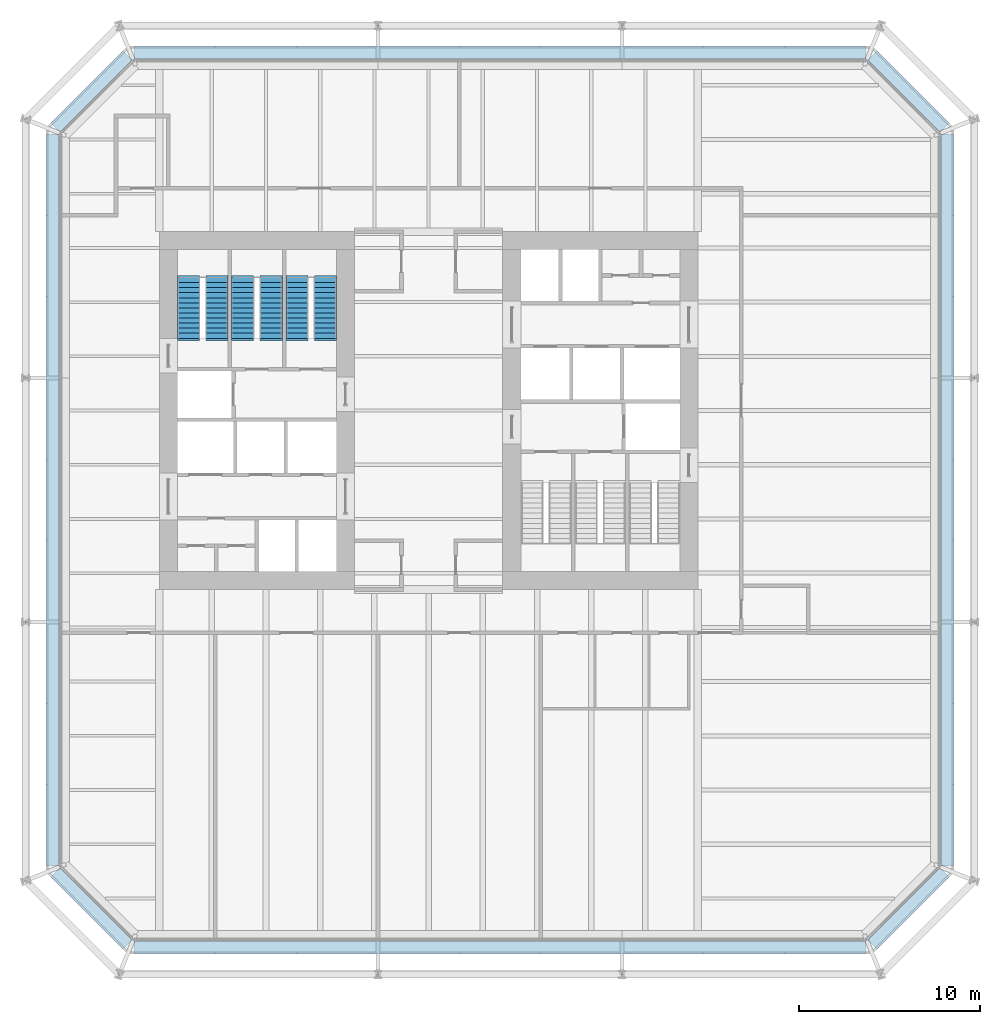
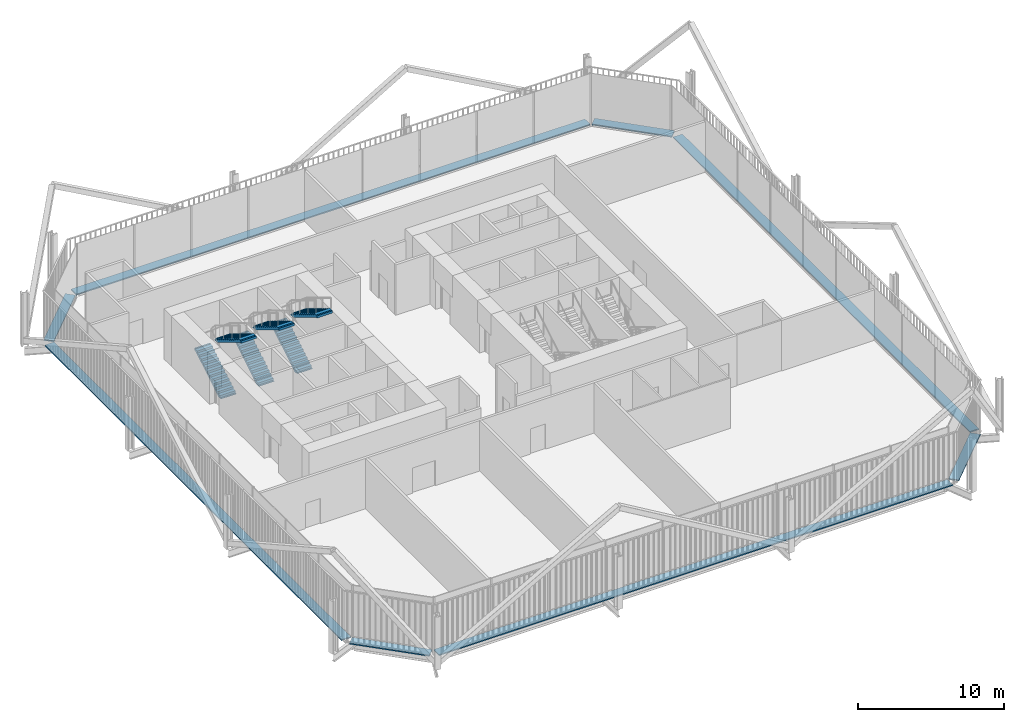
# One storey, part 20 of 21: 8 discrete accessories, 6 stair flights, 3 elements without a shape of their own.
"""IFC4 building model written with IfcOpenShell, lengths in metres."""

from ifc_helpers import new_model, si_unit, direction, frame, origin, origin_2d, place, context, subcontext, project, spatial, polyline, rectangle, outline, extrude, material, type_object, element, aggregate, save


model = new_model("IFC4")

# Units and contexts
model_context = context("Model", 3, precision=1e-05, world=origin(), true_north=direction((0.0, 1.0)))
body_context = subcontext(model_context, "Body", "Model", "MODEL_VIEW")
ifc_project = project(units=[si_unit("LENGTHUNIT", "METRE"), si_unit("AREAUNIT", "SQUARE_METRE"), si_unit("VOLUMEUNIT", "CUBIC_METRE"), si_unit("PLANEANGLEUNIT", "RADIAN"), si_unit("MASSUNIT", "GRAM", prefix="KILO")], contexts=[model_context])

# Site, building, storey
site_placement = place(None, origin())
site = spatial("IfcSite", under=ifc_project, at=site_placement, CompositionType="ELEMENT")
building_placement = place(site_placement, origin())
building = spatial("IfcBuilding", under=site, at=building_placement, Name="Millrace Tower", CompositionType="ELEMENT")
storey_placement = place(building_placement, frame((0.0, 0.0, 104.0)))
storey = spatial("IfcBuildingStorey", under=building, at=storey_placement, Name="L23", CompositionType="ELEMENT", Elevation=104.0)

# Stair, stair flights
ifc_material_1 = material(Name="Concrete C35", Category="concrete")
stair_type = type_object("IfcStairType", Name="Exit stair", PredefinedType="HALF_TURN_STAIR", material=ifc_material_1)
placement = place(storey_placement, origin())
stair_1 = element("IfcStair", 1, at=placement, inside=storey, type_object=stair_type, Name="Stair 1 W L23", PredefinedType="HALF_TURN_STAIR")
ifc_material_2 = material(Name="Concrete C35", Category="concrete")
stair_flight_type = type_object("IfcStairFlightType", Name="Exit stair flight", PredefinedType="STRAIGHT", material=ifc_material_2)
stair_flight_1_placement = place(storey_placement, frame((-13.2900390625, 4.0, 0.0), z_axis=(0.0, 0.0, 1.0), x_axis=(0.0, 1.0, 0.0)))
stair_flight_1 = element("IfcStairFlight", 2, at=stair_flight_1_placement, type_object=stair_flight_type, Name="ST12 flight 1", NumberOfRisers=13, NumberOfTreads=12, PredefinedType="STRAIGHT", RiserHeight=0.169230769, TreadLength=0.28, context=body_context, shape_type="SweptSolid", body=[
    extrude(outline(polyline([(-0.1201171875, -0.0400390625), (-0.1201171875, 0.0), (0.0, 0.0), (0.0, 0.169189453125), (0.280029296875, 0.169189453125), (0.280029296875, 0.33837890625), (0.56005859375, 0.33837890625), (0.56005859375, 0.5078125), (0.840087890625, 0.5078125), (0.840087890625, 0.677001953125), (1.1201171875, 0.677001953125), (1.1201171875, 0.84619140625), (1.39990234375, 0.84619140625), (1.39990234375, 1.015380859375), (1.679931640625, 1.015380859375), (1.679931640625, 1.1845703125), (1.9599609375, 1.1845703125), (1.9599609375, 1.353759765625), (2.239990234375, 1.353759765625), (2.239990234375, 1.523193359375), (2.52001953125, 1.523193359375), (2.52001953125, 1.6923828125), (2.800048828125, 1.6923828125), (2.800048828125, 1.861572265625), (3.080078125, 1.861572265625), (3.080078125, 2.03076171875), (3.360107421875, 2.03076171875), (3.360107421875, 2.05078125), (3.47998046875, 2.05078125), (3.47998046875, 1.855712890625), (3.360107421875, 1.855712890625), (0.289794921875, 0.0), (0.289794921875, -0.0400390625), (-0.1201171875, -0.0400390625)])), frame((0.0, 0.60986328125, 0.0), z_axis=(0.0, -1.0, 0.0), x_axis=(1.0, 0.0, 0.0)), (0.0, 0.0, 1.0), 1.219970703125),
])
stair_flight_2_placement = place(storey_placement, frame((-11.7099609375, 7.360107421875, 2.199951171875), z_axis=(0.0, 0.0, 1.0), x_axis=(0.0, -1.0, 0.0)))
stair_flight_2 = element("IfcStairFlight", 3, at=stair_flight_2_placement, type_object=stair_flight_type, Name="ST12 flight 2", NumberOfRisers=13, NumberOfTreads=12, PredefinedType="STRAIGHT", RiserHeight=0.169230769, TreadLength=0.28, context=body_context, shape_type="SweptSolid", body=[
    extrude(outline(polyline([(-0.1201171875, -0.0400390625), (-0.1201171875, 0.0), (0.0, 0.0), (0.0, 0.169189453125), (0.280029296875, 0.169189453125), (0.280029296875, 0.33837890625), (0.56005859375, 0.33837890625), (0.56005859375, 0.5078125), (0.840087890625, 0.5078125), (0.840087890625, 0.677001953125), (1.1201171875, 0.677001953125), (1.1201171875, 0.84619140625), (1.39990234375, 0.84619140625), (1.39990234375, 1.015380859375), (1.679931640625, 1.015380859375), (1.679931640625, 1.1845703125), (1.9599609375, 1.1845703125), (1.9599609375, 1.353759765625), (2.239990234375, 1.353759765625), (2.239990234375, 1.523193359375), (2.52001953125, 1.523193359375), (2.52001953125, 1.6923828125), (2.800048828125, 1.6923828125), (2.800048828125, 1.861572265625), (3.080078125, 1.861572265625), (3.080078125, 2.03076171875), (3.360107421875, 2.03076171875), (3.360107421875, 2.05078125), (3.47998046875, 2.05078125), (3.47998046875, 1.855712890625), (3.360107421875, 1.855712890625), (0.289794921875, 0.0), (0.289794921875, -0.0400390625), (-0.1201171875, -0.0400390625)])), frame((0.0, 0.60986328125, 0.0), z_axis=(0.0, -1.0, 0.0), x_axis=(1.0, 0.0, 0.0)), (0.0, 0.0, 1.0), 1.219970703125),
])
aggregate(stair_1, [stair_flight_1, stair_flight_2])

stair_2 = element("IfcStair", 4, at=placement, inside=storey, type_object=stair_type, Name="Stair 2 W L23", PredefinedType="HALF_TURN_STAIR")
stair_flight_3_placement = place(storey_placement, frame((-10.2900390625, 4.0, 0.0), z_axis=(0.0, 0.0, 1.0), x_axis=(0.0, 1.0, 0.0)))
stair_flight_3 = element("IfcStairFlight", 5, at=stair_flight_3_placement, type_object=stair_flight_type, Name="ST12 flight 1", NumberOfRisers=13, NumberOfTreads=12, PredefinedType="STRAIGHT", RiserHeight=0.169230769, TreadLength=0.28, context=body_context, shape_type="SweptSolid", body=[
    extrude(outline(polyline([(-0.1201171875, -0.0400390625), (-0.1201171875, 0.0), (0.0, 0.0), (0.0, 0.169189453125), (0.280029296875, 0.169189453125), (0.280029296875, 0.33837890625), (0.56005859375, 0.33837890625), (0.56005859375, 0.5078125), (0.840087890625, 0.5078125), (0.840087890625, 0.677001953125), (1.1201171875, 0.677001953125), (1.1201171875, 0.84619140625), (1.39990234375, 0.84619140625), (1.39990234375, 1.015380859375), (1.679931640625, 1.015380859375), (1.679931640625, 1.1845703125), (1.9599609375, 1.1845703125), (1.9599609375, 1.353759765625), (2.239990234375, 1.353759765625), (2.239990234375, 1.523193359375), (2.52001953125, 1.523193359375), (2.52001953125, 1.6923828125), (2.800048828125, 1.6923828125), (2.800048828125, 1.861572265625), (3.080078125, 1.861572265625), (3.080078125, 2.03076171875), (3.360107421875, 2.03076171875), (3.360107421875, 2.05078125), (3.47998046875, 2.05078125), (3.47998046875, 1.855712890625), (3.360107421875, 1.855712890625), (0.289794921875, 0.0), (0.289794921875, -0.0400390625), (-0.1201171875, -0.0400390625)])), frame((0.0, 0.60986328125, 0.0), z_axis=(0.0, -1.0, 0.0), x_axis=(1.0, 0.0, 0.0)), (0.0, 0.0, 1.0), 1.219970703125),
])
stair_flight_4_placement = place(storey_placement, frame((-8.7099609375, 7.360107421875, 2.199951171875), z_axis=(0.0, 0.0, 1.0), x_axis=(0.0, -1.0, 0.0)))
stair_flight_4 = element("IfcStairFlight", 6, at=stair_flight_4_placement, type_object=stair_flight_type, Name="ST12 flight 2", NumberOfRisers=13, NumberOfTreads=12, PredefinedType="STRAIGHT", RiserHeight=0.169230769, TreadLength=0.28, context=body_context, shape_type="SweptSolid", body=[
    extrude(outline(polyline([(-0.1201171875, -0.0400390625), (-0.1201171875, 0.0), (0.0, 0.0), (0.0, 0.169189453125), (0.280029296875, 0.169189453125), (0.280029296875, 0.33837890625), (0.56005859375, 0.33837890625), (0.56005859375, 0.5078125), (0.840087890625, 0.5078125), (0.840087890625, 0.677001953125), (1.1201171875, 0.677001953125), (1.1201171875, 0.84619140625), (1.39990234375, 0.84619140625), (1.39990234375, 1.015380859375), (1.679931640625, 1.015380859375), (1.679931640625, 1.1845703125), (1.9599609375, 1.1845703125), (1.9599609375, 1.353759765625), (2.239990234375, 1.353759765625), (2.239990234375, 1.523193359375), (2.52001953125, 1.523193359375), (2.52001953125, 1.6923828125), (2.800048828125, 1.6923828125), (2.800048828125, 1.861572265625), (3.080078125, 1.861572265625), (3.080078125, 2.03076171875), (3.360107421875, 2.03076171875), (3.360107421875, 2.05078125), (3.47998046875, 2.05078125), (3.47998046875, 1.855712890625), (3.360107421875, 1.855712890625), (0.289794921875, 0.0), (0.289794921875, -0.0400390625), (-0.1201171875, -0.0400390625)])), frame((0.0, 0.60986328125, 0.0), z_axis=(0.0, -1.0, 0.0), x_axis=(1.0, 0.0, 0.0)), (0.0, 0.0, 1.0), 1.219970703125),
])
aggregate(stair_2, [stair_flight_3, stair_flight_4])

stair_3 = element("IfcStair", 7, at=placement, inside=storey, type_object=stair_type, Name="Stair 3 W L23", PredefinedType="HALF_TURN_STAIR")
stair_flight_5_placement = place(storey_placement, frame((-7.2900390625, 4.0, 0.0), z_axis=(0.0, 0.0, 1.0), x_axis=(0.0, 1.0, 0.0)))
stair_flight_5 = element("IfcStairFlight", 8, at=stair_flight_5_placement, type_object=stair_flight_type, Name="ST12 flight 1", NumberOfRisers=13, NumberOfTreads=12, PredefinedType="STRAIGHT", RiserHeight=0.169230769, TreadLength=0.28, context=body_context, shape_type="SweptSolid", body=[
    extrude(outline(polyline([(-0.1201171875, -0.0400390625), (-0.1201171875, 0.0), (0.0, 0.0), (0.0, 0.169189453125), (0.280029296875, 0.169189453125), (0.280029296875, 0.33837890625), (0.56005859375, 0.33837890625), (0.56005859375, 0.5078125), (0.840087890625, 0.5078125), (0.840087890625, 0.677001953125), (1.1201171875, 0.677001953125), (1.1201171875, 0.84619140625), (1.39990234375, 0.84619140625), (1.39990234375, 1.015380859375), (1.679931640625, 1.015380859375), (1.679931640625, 1.1845703125), (1.9599609375, 1.1845703125), (1.9599609375, 1.353759765625), (2.239990234375, 1.353759765625), (2.239990234375, 1.523193359375), (2.52001953125, 1.523193359375), (2.52001953125, 1.6923828125), (2.800048828125, 1.6923828125), (2.800048828125, 1.861572265625), (3.080078125, 1.861572265625), (3.080078125, 2.03076171875), (3.360107421875, 2.03076171875), (3.360107421875, 2.05078125), (3.47998046875, 2.05078125), (3.47998046875, 1.855712890625), (3.360107421875, 1.855712890625), (0.289794921875, 0.0), (0.289794921875, -0.0400390625), (-0.1201171875, -0.0400390625)])), frame((0.0, 0.60986328125, 0.0), z_axis=(0.0, -1.0, 0.0), x_axis=(1.0, 0.0, 0.0)), (0.0, 0.0, 1.0), 1.219970703125),
])
stair_flight_6_placement = place(storey_placement, frame((-5.7099609375, 7.360107421875, 2.199951171875), z_axis=(0.0, 0.0, 1.0), x_axis=(0.0, -1.0, 0.0)))
stair_flight_6 = element("IfcStairFlight", 9, at=stair_flight_6_placement, type_object=stair_flight_type, Name="ST12 flight 2", NumberOfRisers=13, NumberOfTreads=12, PredefinedType="STRAIGHT", RiserHeight=0.169230769, TreadLength=0.28, context=body_context, shape_type="SweptSolid", body=[
    extrude(outline(polyline([(-0.1201171875, -0.0400390625), (-0.1201171875, 0.0), (0.0, 0.0), (0.0, 0.169189453125), (0.280029296875, 0.169189453125), (0.280029296875, 0.33837890625), (0.56005859375, 0.33837890625), (0.56005859375, 0.5078125), (0.840087890625, 0.5078125), (0.840087890625, 0.677001953125), (1.1201171875, 0.677001953125), (1.1201171875, 0.84619140625), (1.39990234375, 0.84619140625), (1.39990234375, 1.015380859375), (1.679931640625, 1.015380859375), (1.679931640625, 1.1845703125), (1.9599609375, 1.1845703125), (1.9599609375, 1.353759765625), (2.239990234375, 1.353759765625), (2.239990234375, 1.523193359375), (2.52001953125, 1.523193359375), (2.52001953125, 1.6923828125), (2.800048828125, 1.6923828125), (2.800048828125, 1.861572265625), (3.080078125, 1.861572265625), (3.080078125, 2.03076171875), (3.360107421875, 2.03076171875), (3.360107421875, 2.05078125), (3.47998046875, 2.05078125), (3.47998046875, 1.855712890625), (3.360107421875, 1.855712890625), (0.289794921875, 0.0), (0.289794921875, -0.0400390625), (-0.1201171875, -0.0400390625)])), frame((0.0, 0.60986328125, 0.0), z_axis=(0.0, -1.0, 0.0), x_axis=(1.0, 0.0, 0.0)), (0.0, 0.0, 1.0), 1.219970703125),
])
aggregate(stair_3, [stair_flight_5, stair_flight_6])

# Discrete accessories
ifc_material_3 = material(Name="Stainless steel ASTM A240 type 316", Category="steel")
discrete_accessory_type = type_object("IfcDiscreteAccessoryType", Name="Thermally broken screen support rail", PredefinedType="BRACKET", material=ifc_material_3)
discrete_accessory_1_placement = place(storey_placement, frame((-18.66064453125, -27.560546875, 0.0), z_axis=(0.0, 0.0, 1.0), x_axis=(0.707106781187, -0.707106781187, 0.0)))
element("IfcDiscreteAccessory", 10, at=discrete_accessory_1_placement, inside=storey, type_object=discrete_accessory_type, Name="Thermally broken screen support rail B-F01 L23 1", PredefinedType="BRACKET", context=body_context, shape_type="SweptSolid", body=[
    extrude(rectangle(XDim=5.65673828125, YDim=0.719970703125, at=origin_2d()), origin(), (0.0, 0.0, 1.0), 0.10009765625),
])
discrete_accessory_2_placement = place(storey_placement, frame((3.949951171875, -29.7099609375, 0.0), z_axis=(0.0, 0.0, 1.0), x_axis=(1.0, 0.0, 0.0)))
element("IfcDiscreteAccessory", 11, at=discrete_accessory_2_placement, inside=storey, type_object=discrete_accessory_type, Name="Thermally broken screen support rail B-F02 L23 1", PredefinedType="BRACKET", context=body_context, shape_type="SweptSolid", body=[
    extrude(rectangle(XDim=40.5, YDim=0.719970703125, at=origin_2d()), origin(), (0.0, 0.0, 1.0), 0.10009765625),
])
discrete_accessory_3_placement = place(storey_placement, frame((26.560546875, -27.560546875, 0.0), z_axis=(0.0, 0.0, 1.0), x_axis=(0.707106781187, 0.707106781187, 0.0)))
element("IfcDiscreteAccessory", 12, at=discrete_accessory_3_placement, inside=storey, type_object=discrete_accessory_type, Name="Thermally broken screen support rail B-F03 L23 1", PredefinedType="BRACKET", context=body_context, shape_type="SweptSolid", body=[
    extrude(rectangle(XDim=5.65673828125, YDim=0.719970703125, at=origin_2d()), origin(), (0.0, 0.0, 1.0), 0.10009765625),
])
discrete_accessory_4_placement = place(storey_placement, frame((28.7099609375, -4.949951171875, 0.0), z_axis=(0.0, 0.0, 1.0), x_axis=(0.0, 1.0, 0.0)))
element("IfcDiscreteAccessory", 13, at=discrete_accessory_4_placement, inside=storey, type_object=discrete_accessory_type, Name="Thermally broken screen support rail B-F04 L23 1", PredefinedType="BRACKET", context=body_context, shape_type="SweptSolid", body=[
    extrude(rectangle(XDim=40.5, YDim=0.719970703125, at=origin_2d()), origin(), (0.0, 0.0, 1.0), 0.10009765625),
])
discrete_accessory_5_placement = place(storey_placement, frame((26.560546875, 17.66064453125, 0.0), z_axis=(0.0, 0.0, 1.0), x_axis=(-0.707106781187, 0.707106781187, 0.0)))
element("IfcDiscreteAccessory", 14, at=discrete_accessory_5_placement, inside=storey, type_object=discrete_accessory_type, Name="Thermally broken screen support rail B-F05 L23 1", PredefinedType="BRACKET", context=body_context, shape_type="SweptSolid", body=[
    extrude(rectangle(XDim=5.65673828125, YDim=0.719970703125, at=origin_2d()), origin(), (0.0, 0.0, 1.0), 0.10009765625),
])
discrete_accessory_6_placement = place(storey_placement, frame((3.949951171875, 19.81005859375, 0.0), z_axis=(0.0, 0.0, 1.0), x_axis=(-1.0, 0.0, 0.0)))
element("IfcDiscreteAccessory", 15, at=discrete_accessory_6_placement, inside=storey, type_object=discrete_accessory_type, Name="Thermally broken screen support rail B-F06 L23 1", PredefinedType="BRACKET", context=body_context, shape_type="SweptSolid", body=[
    extrude(rectangle(XDim=40.5, YDim=0.719970703125, at=origin_2d()), origin(), (0.0, 0.0, 1.0), 0.10009765625),
])
discrete_accessory_7_placement = place(storey_placement, frame((-18.66064453125, 17.66064453125, 0.0), z_axis=(0.0, 0.0, 1.0), x_axis=(-0.707106781187, -0.707106781187, 0.0)))
element("IfcDiscreteAccessory", 16, at=discrete_accessory_7_placement, inside=storey, type_object=discrete_accessory_type, Name="Thermally broken screen support rail B-F07 L23 1", PredefinedType="BRACKET", context=body_context, shape_type="SweptSolid", body=[
    extrude(rectangle(XDim=5.65673828125, YDim=0.719970703125, at=origin_2d()), origin(), (0.0, 0.0, 1.0), 0.10009765625),
])
discrete_accessory_8_placement = place(storey_placement, frame((-20.81005859375, -4.949951171875, 0.0), z_axis=(0.0, 0.0, 1.0), x_axis=(0.0, -1.0, 0.0)))
element("IfcDiscreteAccessory", 17, at=discrete_accessory_8_placement, inside=storey, type_object=discrete_accessory_type, Name="Thermally broken screen support rail B-F08 L23 1", PredefinedType="BRACKET", context=body_context, shape_type="SweptSolid", body=[
    extrude(rectangle(XDim=40.5, YDim=0.719970703125, at=origin_2d()), origin(), (0.0, 0.0, 1.0), 0.10009765625),
])

save(model, "model.ifc")
